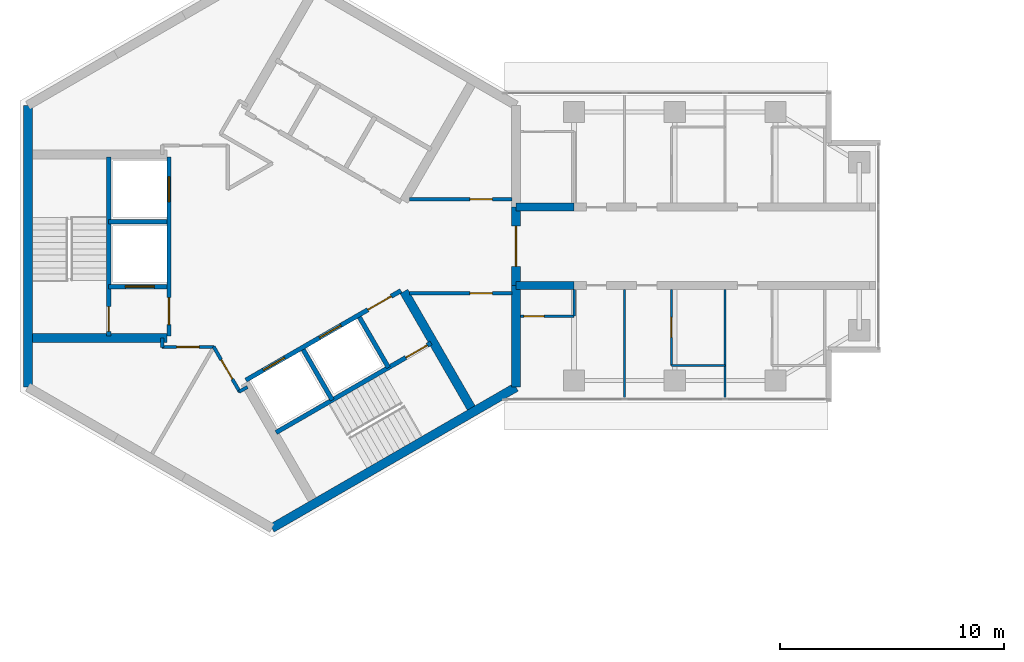
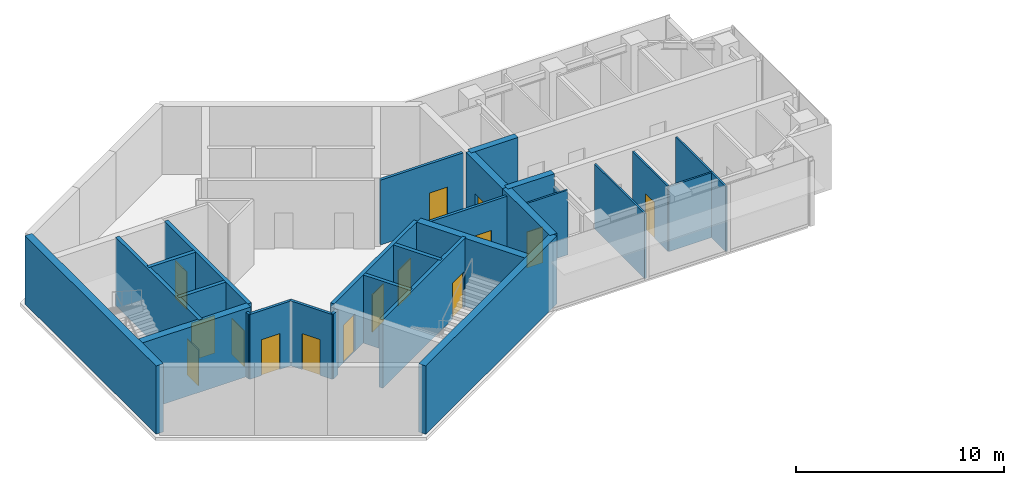
# One storey, part 5 of 11: 28 walls, 15 doors, 15 openings.
"""IFC4 building model written with IfcOpenShell, lengths in metres."""

import ifcopenshell
import ifcopenshell.guid

model = None  # the IFC model being written
_history = None  # IfcOwnerHistory: only IFC2X3 demands one
_inside = {}  # id of a spatial element -> (the spatial element, [elements in it])
_under = {}  # id of a project, library or spatial element -> (it, [spatial elements below it])
_declared = {}  # id of a project -> (the project, [libraries it declares])
_typed = {}  # id of a type object -> (the type object, [elements of that type])
_made_of = {}  # id of a material, layer set ... -> (it, [elements and type objects made of it])


def new_model(schema):
    """Start an empty IFC model of exactly this schema.

    Asked for "IFC4X3", IfcOpenShell would pick the latest addendum, in which some entities
    have other attributes; the version numbers below select the first issue.
    IFC2X3 requires an IfcOwnerHistory on every rooted entity: one is made here for all.
    """
    global model, _history
    if schema == "IFC4X3":
        model = ifcopenshell.file(schema_version=(4, 3, 0, 0))
    else:
        model = ifcopenshell.file(schema=schema)
    _inside.clear()
    _under.clear()
    _declared.clear()
    _typed.clear()
    _made_of.clear()
    _history = None
    if model.schema == "IFC2X3":
        org = make("IfcOrganization", Name="unknown")
        user = make(
            "IfcPersonAndOrganization",
            ThePerson=make("IfcPerson", FamilyName="unknown"),
            TheOrganization=org,
        )
        app = make(
            "IfcApplication",
            ApplicationDeveloper=org,
            Version="unknown",
            ApplicationFullName="unknown",
            ApplicationIdentifier="unknown",
        )
        _history = make(
            "IfcOwnerHistory",
            OwningUser=user,
            OwningApplication=app,
            ChangeAction="ADDED",
            CreationDate=0,
        )
    return model


def make(cls, **values):
    """One entity of the class cls with the attributes given. An attribute that is None is left unset."""
    return model.create_entity(
        cls, **{name: value for name, value in values.items() if value is not None}
    )


def rooted(cls, **values):
    """An entity with a GlobalId (a new one), such as an element, a storey or a relation."""
    return make(cls, GlobalId=ifcopenshell.guid.new(), OwnerHistory=_history, **values)


def si_unit(unit_type, name, prefix=None):
    """IfcSIUnit, for example si_unit("LENGTHUNIT", "METRE", prefix="MILLI")."""
    return make("IfcSIUnit", UnitType=unit_type, Prefix=prefix, Name=name)


def assignment(units):
    """IfcUnitAssignment: the units of a project."""
    return None if units is None else make("IfcUnitAssignment", Units=units)


def point(xyz):
    """IfcCartesianPoint."""
    return None if xyz is None else make("IfcCartesianPoint", Coordinates=xyz)


def direction(xyz):
    """IfcDirection."""
    return None if xyz is None else make("IfcDirection", DirectionRatios=xyz)


def frame(location, z_axis=None, x_axis=None):
    """IfcAxis2Placement3D, a coordinate frame: its origin and axes. An axis left out is left unset."""
    return make(
        "IfcAxis2Placement3D",
        Location=point(location),
        Axis=direction(z_axis),
        RefDirection=direction(x_axis),
    )


def frame_2d(location, x_axis=None):
    """IfcAxis2Placement2D, a coordinate frame in the plane: its origin and x axis."""
    return make(
        "IfcAxis2Placement2D", Location=point(location), RefDirection=direction(x_axis)
    )


def origin():
    """The frame at (0, 0, 0) with its axes left unset."""
    return frame((0.0, 0.0, 0.0))


def place(relative_to, where):
    """IfcLocalPlacement: puts the frame where relative to a parent placement (None: the world)."""
    return make(
        "IfcLocalPlacement", PlacementRelTo=relative_to, RelativePlacement=where
    )


def context(
    kind, dimensions, precision=None, world=None, true_north=None, identifier=None
):
    """IfcGeometricRepresentationContext, for example the 3D "Model" context."""
    return make(
        "IfcGeometricRepresentationContext",
        ContextIdentifier=identifier,
        ContextType=kind,
        CoordinateSpaceDimension=dimensions,
        Precision=precision,
        WorldCoordinateSystem=world,
        TrueNorth=true_north,
    )


def subcontext(parent, identifier, kind, view, scale=None):
    """IfcGeometricRepresentationSubContext, for example "Body" below "Model"."""
    return make(
        "IfcGeometricRepresentationSubContext",
        ContextIdentifier=identifier,
        ContextType=kind,
        ParentContext=parent,
        TargetScale=scale,
        TargetView=view,
    )


def project(units=None, contexts=None):
    """IfcProject with its units and contexts."""
    return rooted(
        "IfcProject",
        Name="project",
        RepresentationContexts=contexts,
        UnitsInContext=assignment(units),
    )


def spatial(cls, under=None, at=None, **own):
    """A site, building, storey or space (cls), placed at a placement, below another one or the project."""
    s = rooted(cls, ObjectPlacement=at, **own)
    if under is not None:
        _under.setdefault(under.id(), (under, []))[1].append(s)
    return s


def profile(cls, at=None, kind="AREA", **sizes):
    """A parametric profile (cls). Its sizes go by their IFC names, for example OverallWidth=200.0."""
    return make(cls, ProfileType=kind, Position=at, **sizes)


def rectangle(**sizes):
    """IfcRectangleProfileDef."""
    return profile("IfcRectangleProfileDef", **sizes)


def extrude(swept, where, along, depth):
    """IfcExtrudedAreaSolid: the profile swept, set in the frame where, extruded along a direction by depth."""
    return make(
        "IfcExtrudedAreaSolid",
        SweptArea=swept,
        Position=where,
        ExtrudedDirection=direction(along),
        Depth=depth,
    )


def shape(context_of_items, identifier, shape_type, items):
    """IfcShapeRepresentation: the items that make up one representation, for example the "Body"."""
    return make(
        "IfcShapeRepresentation",
        ContextOfItems=context_of_items,
        RepresentationIdentifier=identifier,
        RepresentationType=shape_type,
        Items=items,
    )


def material(Name=None, Category=None):
    """IfcMaterial."""
    return make("IfcMaterial", Name=Name, Category=Category)


def layer(
    of_material, thickness, ventilated=None, Name=None, Category=None, Priority=None
):
    """IfcMaterialLayer: one layer of a wall or slab, of a material (None: an air gap)."""
    return make(
        "IfcMaterialLayer",
        Material=of_material,
        LayerThickness=thickness,
        IsVentilated=ventilated,
        Name=Name,
        Category=Category,
        Priority=Priority,
    )


def layer_set(layers, Name=None):
    """IfcMaterialLayerSet."""
    return make("IfcMaterialLayerSet", MaterialLayers=layers, LayerSetName=Name)


def made_of(thing, what):
    """Note that an element or type object is made of a material, layer set ...; save() writes the relation."""
    if what is not None:
        _made_of.setdefault(what.id(), (what, []))[1].append(thing)
    return thing


def type_object(cls, material=None, **own):
    """A type object (cls), such as IfcWallType, which elements share."""
    return made_of(rooted(cls, **own), material)


def element(
    cls,
    number,
    at=None,
    inside=None,
    cuts=None,
    type_object=None,
    material=None,
    context=None,
    identifier="Body",
    shape_type=None,
    held_by="IfcProductDefinitionShape",
    body=None,
    shapes=None,
    **own,
):
    """One element of the class cls, such as IfcWall. Its Tag is "e" and its number.

    at: its placement. inside: the storey or other place that contains it. cuts: it is an
    opening in that element (IfcRelVoidsElement). A single representation is given by context,
    identifier, shape_type and body (its items); several are given by shapes. held_by: the class
    of the entity that holds the representations. save() writes the other relations.
    """
    e = rooted(cls, Tag="e%d" % number, ObjectPlacement=at, **own)
    if body is not None:
        shapes = [shape(context, identifier, shape_type, body)]
    if shapes is not None:
        e.Representation = make(held_by, Representations=shapes)
    if inside is not None:
        _inside.setdefault(inside.id(), (inside, []))[1].append(e)
    if cuts is not None:
        rooted(
            "IfcRelVoidsElement", RelatingBuildingElement=cuts, RelatedOpeningElement=e
        )
    if type_object is not None:
        _typed.setdefault(type_object.id(), (type_object, []))[1].append(e)
    return made_of(e, material)


def fill(opening, filler):
    """IfcRelFillsElement: the door or window that sits in an opening."""
    return rooted(
        "IfcRelFillsElement",
        RelatingOpeningElement=opening,
        RelatedBuildingElement=filler,
    )


def aggregate(whole, parts):
    """IfcRelAggregates: a whole, such as a stair, and the parts it consists of."""
    return rooted("IfcRelAggregates", RelatingObject=whole, RelatedObjects=parts)


def save(model, path):
    """Write the relations noted so far, then the file.

    IfcRelAggregates (storeys below a building ...), IfcRelContainedInSpatialStructure (elements
    in a storey), IfcRelDefinesByType, IfcRelAssociatesMaterial and IfcRelDeclares: one each for
    every whole, place, type object, material and project.
    """
    for whole, parts in _under.values():
        aggregate(whole, parts)
    for where, things in _inside.values():
        rooted(
            "IfcRelContainedInSpatialStructure",
            RelatedElements=things,
            RelatingStructure=where,
        )
    for kind, things in _typed.values():
        rooted("IfcRelDefinesByType", RelatedObjects=things, RelatingType=kind)
    for what, things in _made_of.values():
        rooted("IfcRelAssociatesMaterial", RelatedObjects=things, RelatingMaterial=what)
    for by, libraries in _declared.values():
        rooted("IfcRelDeclares", RelatingContext=by, RelatedDefinitions=libraries)
    model.write(path)


model = new_model("IFC4")

# Units and contexts
model_context = context("Model", 3, precision=1e-05, world=origin(), true_north=direction((0.0, 1.0)))
body_context = subcontext(model_context, "Body", "Model", "MODEL_VIEW")
ifc_project = project(units=[si_unit("LENGTHUNIT", "METRE"), si_unit("AREAUNIT", "SQUARE_METRE"), si_unit("VOLUMEUNIT", "CUBIC_METRE"), si_unit("PLANEANGLEUNIT", "RADIAN"), si_unit("MASSUNIT", "GRAM", prefix="KILO")], contexts=[model_context])

# Site, building, storey
site_placement = place(None, origin())
site = spatial("IfcSite", under=ifc_project, at=site_placement, CompositionType="ELEMENT")
building_placement = place(site_placement, origin())
building = spatial("IfcBuilding", under=site, at=building_placement, Name="Upepo Twin Towers", CompositionType="ELEMENT")
storey_placement = place(building_placement, frame((0.0, 0.0, 283.5)))
storey = spatial("IfcBuildingStorey", under=building, at=storey_placement, Name="L69", CompositionType="ELEMENT", Elevation=283.5)

# Walls
ifc_material_1 = material(Name="Concrete C60/75", Category="concrete")
ifc_layer_1 = layer(ifc_material_1, 0.35009765625)
ifc_layer_set_1 = layer_set([ifc_layer_1], Name="Concrete C60/75")
wall_type_1 = type_object("IfcWallType", Name="Buttress wall 350 RC", PredefinedType="SHEAR", material=ifc_layer_set_1)
for number, where, z_axis, x_axis, name in (
    (1, (10.908447265625, 1.75, 0.0), (0.0, 0.0, 1.0), (1.0, 0.0, 0.0), "T1 wing A buttress wall L"),
    (2, (10.908447265625, -1.75, 0.0), (0.0, 0.0, 1.0), (1.0, 0.0, 0.0), "T1 wing A buttress wall R"),
):
    element("IfcWall", number, at=place(storey_placement, frame(where, z_axis=z_axis, x_axis=x_axis)), inside=storey, type_object=wall_type_1, Name=name, PredefinedType="SHEAR", context=body_context, shape_type="SweptSolid", body=[
        extrude(rectangle(XDim=2.591552734375, YDim=0.35009765625, at=frame_2d((1.2958984375, 0.0))), origin(), (0.0, 0.0, 1.0), 4.0),
    ])
ifc_material_2 = material(Name="Concrete C60/75", Category="concrete")
ifc_layer_2 = layer(ifc_material_2, 0.39990234375)
ifc_layer_set_2 = layer_set([ifc_layer_2], Name="Concrete C60/75")
wall_type_2 = type_object("IfcWallType", Name="Core wall 400 RC", PredefinedType="SHEAR", material=ifc_layer_set_2)
wall_1_placement = place(storey_placement, frame((10.908447265625, -6.2978515625, 0.0), z_axis=(0.0, 0.0, 1.0), x_axis=(0.0, 1.0, 0.0)))
element("IfcWall", 3, at=wall_1_placement, inside=storey, type_object=wall_type_2, Name="T1 core wall 000 R", PredefinedType="SHEAR", context=body_context, shape_type="SweptSolid", body=[
    extrude(rectangle(XDim=4.5478515625, YDim=0.39990234375, at=frame_2d((2.27392578125, 0.0))), origin(), (0.0, 0.0, 1.0), 4.0),
])

# Wall, opening, door
wall_2_placement = place(storey_placement, frame((10.908447265625, -1.75, 0.0), z_axis=(0.0, 0.0, 1.0), x_axis=(0.0, 1.0, 0.0)))
wall_2 = element("IfcWall", 4, at=wall_2_placement, inside=storey, type_object=wall_type_2, Name="T1 core wall 000", PredefinedType="SHEAR", context=body_context, shape_type="SweptSolid", body=[
    extrude(rectangle(XDim=3.5, YDim=0.39990234375, at=frame_2d((1.75, 0.0))), origin(), (0.0, 0.0, 1.0), 4.0),
])
opening_1_placement = place(wall_2_placement, frame((0.85009765625, 0.0, 0.0)))
opening_1 = element("IfcOpeningElement", 5, at=opening_1_placement, cuts=wall_2, Name="Opening D2", PredefinedType="OPENING", context=body_context, shape_type="SweptSolid", body=[
    extrude(rectangle(XDim=1.800048828125, YDim=2.10009765625, at=frame_2d((0.89990234375, 1.050048828125))), frame((0.0, 0.2099609375, 0.0), z_axis=(0.0, -1.0, 0.0), x_axis=(1.0, 0.0, 0.0)), (0.0, 0.0, 1.0), 0.419921875),
])
ifc_material_3 = material(Name="Timber doorset", Category="wood")
door_type_1 = type_object("IfcDoorType", Name="Corridor double door 1800 FD60", OperationType="DOUBLE_DOOR_DOUBLE_SWING", PredefinedType="DOOR", material=ifc_material_3)
door_1_placement = place(opening_1_placement, origin())
door_1 = element("IfcDoor", 6, at=door_1_placement, inside=storey, type_object=door_type_1, Name="T1 L69 wing A corridor door", OperationType="DOUBLE_DOOR_DOUBLE_SWING", OverallHeight=2.10009765625, OverallWidth=1.800048828125, PredefinedType="DOOR", context=body_context, shape_type="SweptSolid", body=[
    extrude(rectangle(XDim=1.800048828125, YDim=2.10009765625, at=frame_2d((0.89990234375, 1.050048828125))), frame((0.0, 0.02490234375, 0.0), z_axis=(0.0, -1.0, 0.0), x_axis=(1.0, 0.0, 0.0)), (0.0, 0.0, 1.0), 0.050048828125),
])
fill(opening_1, door_1)

# Walls
wall_3_placement = place(storey_placement, frame((-10.908447265625, 6.2978515625, 0.0), z_axis=(0.0, 0.0, 1.0), x_axis=(0.0, -1.0, 0.0)))
element("IfcWall", 7, at=wall_3_placement, inside=storey, type_object=wall_type_2, Name="T1 core wall 180", PredefinedType="SHEAR", context=body_context, shape_type="SweptSolid", body=[
    extrude(rectangle(XDim=12.595703125, YDim=0.39990234375, at=frame_2d((6.2978515625, 0.0))), origin(), (0.0, 0.0, 1.0), 4.0),
])
wall_4_placement = place(storey_placement, frame((0.0, -12.595947265625, 0.0), z_axis=(0.0, 0.0, 1.0), x_axis=(0.866021940709, 0.500005998175, 0.0)))
element("IfcWall", 8, at=wall_4_placement, inside=storey, type_object=wall_type_2, Name="T1 core wall 300", PredefinedType="SHEAR", context=body_context, shape_type="SweptSolid", body=[
    extrude(rectangle(XDim=12.595947265625, YDim=0.39990234375, at=frame_2d((6.2978515625, 0.0))), origin(), (0.0, 0.0, 1.0), 4.0),
])
ifc_material_4 = material(Name="Gypsum board on steel studs", Category="steel")
ifc_layer_3 = layer(ifc_material_4, 0.10009765625)
ifc_layer_set_3 = layer_set([ifc_layer_3], Name="Office partition 100 stud")
wall_type_3 = type_object("IfcWallType", Name="Office partition 100 stud", PredefinedType="PARTITIONING", material=ifc_layer_set_3)
for number, where, z_axis, x_axis, name in (
    (9, (15.75, -1.925048828125, 0.0), (0.0, 0.0, 1.0), (0.0, -1.0, 0.0), "T1 partition AR at 15.75"),
    (10, (20.25, -1.925048828125, 0.0), (0.0, 0.0, 1.0), (0.0, -1.0, 0.0), "T1 partition AR at 20.25"),
):
    element("IfcWall", number, at=place(storey_placement, frame(where, z_axis=z_axis, x_axis=x_axis)), inside=storey, type_object=wall_type_3, Name=name, PredefinedType="PARTITIONING", context=body_context, shape_type="SweptSolid", body=[
        extrude(rectangle(XDim=4.824951171875, YDim=0.10009765625, at=frame_2d((2.41259765625, 0.0))), origin(), (0.0, 0.0, 1.0), 3.800048828125),
    ])
wall_5_placement = place(storey_placement, frame((17.85009765625, -5.324951171875, 0.0), z_axis=(0.0, 0.0, 1.0), x_axis=(1.0, 0.0, 0.0)))
element("IfcWall", 11, at=wall_5_placement, inside=storey, type_object=wall_type_3, Name="T1 inner room partition AR at 17.85", PredefinedType="PARTITIONING", context=body_context, shape_type="SweptSolid", body=[
    extrude(rectangle(XDim=2.39990234375, YDim=0.10009765625, at=frame_2d((1.199951171875, 0.0))), origin(), (0.0, 0.0, 1.0), 3.800048828125),
])

# Wall, opening, door
wall_6_placement = place(storey_placement, frame((17.85009765625, -1.925048828125, 0.0), z_axis=(0.0, 0.0, 1.0), x_axis=(0.0, -1.0, 0.0)))
wall_6 = element("IfcWall", 12, at=wall_6_placement, inside=storey, type_object=wall_type_3, Name="T1 inner room partition AR end at 17.85", PredefinedType="PARTITIONING", context=body_context, shape_type="SweptSolid", body=[
    extrude(rectangle(XDim=3.39990234375, YDim=0.10009765625, at=frame_2d((1.699951171875, 0.0))), origin(), (0.0, 0.0, 1.0), 3.800048828125),
])
opening_2_placement = place(wall_6_placement, frame((1.25, 0.0, 0.0)))
opening_2 = element("IfcOpeningElement", 13, at=opening_2_placement, cuts=wall_6, Name="Opening D14", PredefinedType="OPENING", context=body_context, shape_type="SweptSolid", body=[
    extrude(rectangle(XDim=0.89990234375, YDim=2.10009765625, at=frame_2d((0.449951171875, 1.050048828125))), frame((0.0, 0.06005859375, 0.0), z_axis=(0.0, -1.0, 0.0), x_axis=(1.0, 0.0, 0.0)), (0.0, 0.0, 1.0), 0.1201171875),
])
ifc_material_5 = material(Name="Timber doorset", Category="wood")
door_type_2 = type_object("IfcDoorType", Name="Office door 900 FD30", OperationType="SINGLE_SWING_LEFT", PredefinedType="DOOR", material=ifc_material_5)
door_2_placement = place(opening_2_placement, origin())
door_2 = element("IfcDoor", 14, at=door_2_placement, inside=storey, type_object=door_type_2, Name="T1 L69 inner room door", OperationType="SINGLE_SWING_LEFT", OverallHeight=2.10009765625, OverallWidth=0.89990234375, PredefinedType="DOOR", context=body_context, shape_type="SweptSolid", body=[
    extrude(rectangle(XDim=0.89990234375, YDim=2.10009765625, at=frame_2d((0.449951171875, 1.050048828125))), frame((0.0, 0.02490234375, 0.0), z_axis=(0.0, -1.0, 0.0), x_axis=(1.0, 0.0, 0.0)), (0.0, 0.0, 1.0), 0.050048828125),
])
fill(opening_2, door_2)

wall_7_placement = place(storey_placement, frame((11.10791015625, -3.125, 0.0), z_axis=(0.0, 0.0, 1.0), x_axis=(1.0, 0.0, 0.0)))
wall_7 = element("IfcWall", 15, at=wall_7_placement, inside=storey, type_object=wall_type_3, Name="T1 WC bay partition AR at 11.11", PredefinedType="PARTITIONING", context=body_context, shape_type="SweptSolid", body=[
    extrude(rectangle(XDim=2.400146484375, YDim=0.10009765625, at=frame_2d((1.2001953125, 0.0))), origin(), (0.0, 0.0, 1.0), 3.800048828125),
])
opening_3_placement = place(wall_7_placement, frame((0.14990234375, 0.0, 0.0)))
opening_3 = element("IfcOpeningElement", 16, at=opening_3_placement, cuts=wall_7, Name="Opening D14", PredefinedType="OPENING", context=body_context, shape_type="SweptSolid", body=[
    extrude(rectangle(XDim=0.89990234375, YDim=2.10009765625, at=frame_2d((0.449951171875, 1.050048828125))), frame((0.0, 0.06005859375, 0.0), z_axis=(0.0, -1.0, 0.0), x_axis=(1.0, 0.0, 0.0)), (0.0, 0.0, 1.0), 0.1201171875),
])
door_3_placement = place(opening_3_placement, origin())
door_3 = element("IfcDoor", 17, at=door_3_placement, inside=storey, type_object=door_type_2, Name="T1 L69 WC bay inner room door", OperationType="SINGLE_SWING_LEFT", OverallHeight=2.10009765625, OverallWidth=0.89990234375, PredefinedType="DOOR", context=body_context, shape_type="SweptSolid", body=[
    extrude(rectangle(XDim=0.89990234375, YDim=2.10009765625, at=frame_2d((0.449951171875, 1.050048828125))), frame((0.0, 0.02490234375, 0.0), z_axis=(0.0, -1.0, 0.0), x_axis=(1.0, 0.0, 0.0)), (0.0, 0.0, 1.0), 0.050048828125),
])
fill(opening_3, door_3)

# Wall
wall_8_placement = place(storey_placement, frame((13.508056640625, -1.925048828125, 0.0), z_axis=(0.0, 0.0, 1.0), x_axis=(0.0, -1.0, 0.0)))
element("IfcWall", 18, at=wall_8_placement, inside=storey, type_object=wall_type_3, Name="T1 WC bay partition AR end at 13.51", PredefinedType="PARTITIONING", context=body_context, shape_type="SweptSolid", body=[
    extrude(rectangle(XDim=1.199951171875, YDim=0.10009765625, at=frame_2d((0.60009765625, 0.0))), origin(), (0.0, 0.0, 1.0), 3.266845703125),
])

# Wall, openings, doors
ifc_material_6 = material(Name="Concrete C40/50", Category="concrete")
ifc_layer_4 = layer(ifc_material_6, 0.199951171875)
ifc_layer_set_4 = layer_set([ifc_layer_4], Name="Concrete C40/50")
wall_type_4 = type_object("IfcWallType", Name="Shaft wall 200 RC", PredefinedType="SHEAR", material=ifc_layer_set_4)
wall_9_placement = place(storey_placement, frame((-4.60009765625, 4.0, 0.0), z_axis=(0.0, 0.0, 1.0), x_axis=(0.0, -1.0, 0.0)))
wall_9 = element("IfcWall", 19, at=wall_9_placement, inside=storey, type_object=wall_type_4, Name="T1 core W180 front wall", PredefinedType="SHEAR", context=body_context, shape_type="SweptSolid", body=[
    extrude(rectangle(XDim=8.0, YDim=0.199951171875, at=frame_2d((4.0, 0.0))), origin(), (0.0, 0.0, 1.0), 4.0),
])
opening_4_placement = place(wall_9_placement, frame((6.300048828125, 0.0, 0.0)))
opening_4 = element("IfcOpeningElement", 20, at=opening_4_placement, cuts=wall_9, Name="Opening D4", PredefinedType="OPENING", context=body_context, shape_type="SweptSolid", body=[
    extrude(rectangle(XDim=1.199951171875, YDim=2.10009765625, at=frame_2d((0.60009765625, 1.050048828125))), frame((0.0, 0.10986328125, 0.0), z_axis=(0.0, -1.0, 0.0), x_axis=(1.0, 0.0, 0.0)), (0.0, 0.0, 1.0), 0.219970703125),
])
opening_5_placement = place(wall_9_placement, frame((0.89990234375, 0.0, 0.0)))
opening_5 = element("IfcOpeningElement", 21, at=opening_5_placement, cuts=wall_9, Name="Opening LD1", PredefinedType="OPENING", context=body_context, shape_type="SweptSolid", body=[
    extrude(rectangle(XDim=1.10009765625, YDim=2.199951171875, at=frame_2d((0.550048828125, 1.10009765625))), frame((0.0, 0.10986328125, 0.0), z_axis=(0.0, -1.0, 0.0), x_axis=(1.0, 0.0, 0.0)), (0.0, 0.0, 1.0), 0.219970703125),
])
ifc_material_7 = material(Name="Steel doorset", Category="steel")
door_type_3 = type_object("IfcDoorType", Name="Lift landing door 1100", OperationType="DOUBLE_DOOR_SLIDING", PredefinedType="DOOR", material=ifc_material_7)
door_4_placement = place(opening_5_placement, origin())
door_4 = element("IfcDoor", 22, at=door_4_placement, inside=storey, type_object=door_type_3, Name="T1 L69 lift SV1 landing door", OperationType="DOUBLE_DOOR_SLIDING", OverallHeight=2.199951171875, OverallWidth=1.10009765625, PredefinedType="DOOR", context=body_context, shape_type="SweptSolid", body=[
    extrude(rectangle(XDim=1.10009765625, YDim=2.199951171875, at=frame_2d((0.550048828125, 1.10009765625))), frame((0.0, 0.02490234375, 0.0), z_axis=(0.0, -1.0, 0.0), x_axis=(1.0, 0.0, 0.0)), (0.0, 0.0, 1.0), 0.050048828125),
])
fill(opening_5, door_4)
ifc_material_8 = material(Name="Timber doorset", Category="wood")
door_type_4 = type_object("IfcDoorType", Name="Lobby door 1200 FD60", OperationType="SINGLE_SWING_LEFT", PredefinedType="DOOR", material=ifc_material_8)
door_5_placement = place(opening_4_placement, origin())
door_5 = element("IfcDoor", 23, at=door_5_placement, inside=storey, type_object=door_type_4, Name="T1 L69 W180 lobby door", OperationType="SINGLE_SWING_RIGHT", OverallHeight=2.10009765625, OverallWidth=1.199951171875, PredefinedType="DOOR", context=body_context, shape_type="SweptSolid", body=[
    extrude(rectangle(XDim=1.199951171875, YDim=2.10009765625, at=frame_2d((0.60009765625, 1.050048828125))), frame((0.0, 0.02490234375, 0.0), z_axis=(0.0, -1.0, 0.0), x_axis=(1.0, 0.0, 0.0)), (0.0, 0.0, 1.0), 0.050048828125),
])
fill(opening_4, door_5)

# Wall
wall_10_placement = place(storey_placement, frame((-4.699951171875, 1.10009765625, 0.0), z_axis=(0.0, 0.0, 1.0), x_axis=(-1.0, 0.0, 0.0)))
element("IfcWall", 24, at=wall_10_placement, inside=storey, type_object=wall_type_4, Name="T1 core W180 shaft divider", PredefinedType="SHEAR", context=body_context, shape_type="SweptSolid", body=[
    extrude(rectangle(XDim=2.60009765625, YDim=0.199951171875, at=frame_2d((1.300048828125, 0.0))), origin(), (0.0, 0.0, 1.0), 4.0),
])

# Wall, opening, door
wall_11_placement = place(storey_placement, frame((-4.699951171875, -1.800048828125, 0.0), z_axis=(0.0, 0.0, 1.0), x_axis=(-1.0, 0.0, 0.0)))
wall_11 = element("IfcWall", 25, at=wall_11_placement, inside=storey, type_object=wall_type_4, Name="T1 core W180 lobby wall", PredefinedType="SHEAR", context=body_context, shape_type="SweptSolid", body=[
    extrude(rectangle(XDim=2.60009765625, YDim=0.199951171875, at=frame_2d((1.300048828125, 0.0))), origin(), (0.0, 0.0, 1.0), 4.0),
])
opening_6_placement = place(wall_11_placement, frame((0.550048828125, 0.0, 0.0)))
opening_6 = element("IfcOpeningElement", 26, at=opening_6_placement, cuts=wall_11, Name="Opening LD2", PredefinedType="OPENING", context=body_context, shape_type="SweptSolid", body=[
    extrude(rectangle(XDim=1.300048828125, YDim=2.199951171875, at=frame_2d((0.64990234375, 1.10009765625))), frame((0.0, 0.10986328125, 0.0), z_axis=(0.0, -1.0, 0.0), x_axis=(1.0, 0.0, 0.0)), (0.0, 0.0, 1.0), 0.219970703125),
])
ifc_material_9 = material(Name="Steel doorset", Category="steel")
door_type_5 = type_object("IfcDoorType", Name="Firefighting lift landing door 1300", OperationType="DOUBLE_DOOR_SLIDING", PredefinedType="DOOR", material=ifc_material_9)
door_6_placement = place(opening_6_placement, origin())
door_6 = element("IfcDoor", 27, at=door_6_placement, inside=storey, type_object=door_type_5, Name="T1 L69 firefighting lift landing door", OperationType="DOUBLE_DOOR_SLIDING", OverallHeight=2.199951171875, OverallWidth=1.300048828125, PredefinedType="DOOR", context=body_context, shape_type="SweptSolid", body=[
    extrude(rectangle(XDim=1.300048828125, YDim=2.199951171875, at=frame_2d((0.64990234375, 1.10009765625))), frame((0.0, 0.02490234375, 0.0), z_axis=(0.0, -1.0, 0.0), x_axis=(1.0, 0.0, 0.0)), (0.0, 0.0, 1.0), 0.050048828125),
])
fill(opening_6, door_6)

wall_12_placement = place(storey_placement, frame((-7.300048828125, 4.0, 0.0), z_axis=(0.0, 0.0, 1.0), x_axis=(0.0, -1.0, 0.0)))
wall_12 = element("IfcWall", 28, at=wall_12_placement, inside=storey, type_object=wall_type_4, Name="T1 core W180 stair wall", PredefinedType="SHEAR", context=body_context, shape_type="SweptSolid", body=[
    extrude(rectangle(XDim=8.0, YDim=0.199951171875, at=frame_2d((4.0, 0.0))), origin(), (0.0, 0.0, 1.0), 4.0),
])
opening_7_placement = place(wall_12_placement, frame((6.699951171875, 0.0, 0.0)))
opening_7 = element("IfcOpeningElement", 29, at=opening_7_placement, cuts=wall_12, Name="Opening D3", PredefinedType="OPENING", context=body_context, shape_type="SweptSolid", body=[
    extrude(rectangle(XDim=1.10009765625, YDim=2.10009765625, at=frame_2d((0.550048828125, 1.050048828125))), frame((0.0, 0.10986328125, 0.0), z_axis=(0.0, -1.0, 0.0), x_axis=(1.0, 0.0, 0.0)), (0.0, 0.0, 1.0), 0.219970703125),
])
ifc_material_10 = material(Name="Timber doorset", Category="wood")
door_type_6 = type_object("IfcDoorType", Name="Stair door 1100 FD60", OperationType="SINGLE_SWING_LEFT", PredefinedType="DOOR", material=ifc_material_10)
door_7_placement = place(opening_7_placement, origin())
door_7 = element("IfcDoor", 30, at=door_7_placement, inside=storey, type_object=door_type_6, Name="T1 L69 stair door", OperationType="SINGLE_SWING_RIGHT", OverallHeight=2.10009765625, OverallWidth=1.10009765625, PredefinedType="DOOR", context=body_context, shape_type="SweptSolid", body=[
    extrude(rectangle(XDim=1.10009765625, YDim=2.10009765625, at=frame_2d((0.550048828125, 1.050048828125))), frame((0.0, 0.02490234375, 0.0), z_axis=(0.0, -1.0, 0.0), x_axis=(1.0, 0.0, 0.0)), (0.0, 0.0, 1.0), 0.050048828125),
])
fill(opening_7, door_7)

# Wall, openings, doors
wall_13_placement = place(storey_placement, frame((-1.1640625, -5.983642578125, 0.0), z_axis=(0.0, 0.0, 1.0), x_axis=(0.866026010844, 0.49999894854, 0.0)))
wall_13 = element("IfcWall", 31, at=wall_13_placement, inside=storey, type_object=wall_type_4, Name="T1 core W300 front wall", PredefinedType="SHEAR", context=body_context, shape_type="SweptSolid", body=[
    extrude(rectangle(XDim=8.0, YDim=0.199951171875, at=frame_2d((4.0, 0.0))), origin(), (0.0, 0.0, 1.0), 4.0),
])
opening_8_placement = place(wall_13_placement, frame((6.300048828125, 0.0, 0.0)))
opening_8 = element("IfcOpeningElement", 32, at=opening_8_placement, cuts=wall_13, Name="Opening D4", PredefinedType="OPENING", context=body_context, shape_type="SweptSolid", body=[
    extrude(rectangle(XDim=1.199951171875, YDim=2.10009765625, at=frame_2d((0.60009765625, 1.050048828125))), frame((0.0, 0.10986328125, 0.0), z_axis=(0.0, -1.0, 0.0), x_axis=(1.0, 0.0, 0.0)), (0.0, 0.0, 1.0), 0.219970703125),
])
opening_9_placement = place(wall_13_placement, frame((0.89990234375, 0.0, 0.0)))
opening_9 = element("IfcOpeningElement", 33, at=opening_9_placement, cuts=wall_13, Name="Opening LD1", PredefinedType="OPENING", context=body_context, shape_type="SweptSolid", body=[
    extrude(rectangle(XDim=1.10009765625, YDim=2.199951171875, at=frame_2d((0.550048828125, 1.10009765625))), frame((0.0, 0.10986328125, 0.0), z_axis=(0.0, -1.0, 0.0), x_axis=(1.0, 0.0, 0.0)), (0.0, 0.0, 1.0), 0.219970703125),
])
opening_10_placement = place(wall_13_placement, frame((3.800048828125, 0.0, 0.0)))
opening_10 = element("IfcOpeningElement", 34, at=opening_10_placement, cuts=wall_13, Name="Opening LD1", PredefinedType="OPENING", context=body_context, shape_type="SweptSolid", body=[
    extrude(rectangle(XDim=1.10009765625, YDim=2.199951171875, at=frame_2d((0.550048828125, 1.10009765625))), frame((0.0, 0.10986328125, 0.0), z_axis=(0.0, -1.0, 0.0), x_axis=(1.0, 0.0, 0.0)), (0.0, 0.0, 1.0), 0.219970703125),
])
door_8_placement = place(opening_9_placement, origin())
door_8 = element("IfcDoor", 35, at=door_8_placement, inside=storey, type_object=door_type_3, Name="T1 L69 lift TL1 landing door", OperationType="DOUBLE_DOOR_SLIDING", OverallHeight=2.199951171875, OverallWidth=1.10009765625, PredefinedType="DOOR", context=body_context, shape_type="SweptSolid", body=[
    extrude(rectangle(XDim=1.10009765625, YDim=2.199951171875, at=frame_2d((0.550048828125, 1.10009765625))), frame((0.0, 0.02490234375, 0.0), z_axis=(0.0, -1.0, 0.0), x_axis=(1.0, 0.0, 0.0)), (0.0, 0.0, 1.0), 0.050048828125),
])
fill(opening_9, door_8)
door_9_placement = place(opening_10_placement, origin())
door_9 = element("IfcDoor", 36, at=door_9_placement, inside=storey, type_object=door_type_3, Name="T1 L69 lift TL2 landing door", OperationType="DOUBLE_DOOR_SLIDING", OverallHeight=2.199951171875, OverallWidth=1.10009765625, PredefinedType="DOOR", context=body_context, shape_type="SweptSolid", body=[
    extrude(rectangle(XDim=1.10009765625, YDim=2.199951171875, at=frame_2d((0.550048828125, 1.10009765625))), frame((0.0, 0.02490234375, 0.0), z_axis=(0.0, -1.0, 0.0), x_axis=(1.0, 0.0, 0.0)), (0.0, 0.0, 1.0), 0.050048828125),
])
fill(opening_10, door_9)
door_10_placement = place(opening_8_placement, origin())
door_10 = element("IfcDoor", 37, at=door_10_placement, inside=storey, type_object=door_type_4, Name="T1 L69 W300 lobby door", OperationType="SINGLE_SWING_RIGHT", OverallHeight=2.10009765625, OverallWidth=1.199951171875, PredefinedType="DOOR", context=body_context, shape_type="SweptSolid", body=[
    extrude(rectangle(XDim=1.199951171875, YDim=2.10009765625, at=frame_2d((0.60009765625, 1.050048828125))), frame((0.0, 0.02490234375, 0.0), z_axis=(0.0, -1.0, 0.0), x_axis=(1.0, 0.0, 0.0)), (0.0, 0.0, 1.0), 0.050048828125),
])
fill(opening_8, door_10)

# Walls
wall_14_placement = place(storey_placement, frame((1.3974609375, -4.620361328125, 0.0), z_axis=(0.0, 0.0, 1.0), x_axis=(0.499936506574, -0.866062058628, 0.0)))
element("IfcWall", 38, at=wall_14_placement, inside=storey, type_object=wall_type_4, Name="T1 core W300 shaft divider", PredefinedType="SHEAR", context=body_context, shape_type="SweptSolid", body=[
    extrude(rectangle(XDim=2.599853515625, YDim=0.199951171875, at=frame_2d((1.2998046875, 0.0))), origin(), (0.0, 0.0, 1.0), 4.0),
])
wall_15_placement = place(storey_placement, frame((3.908935546875, -3.17041015625, 0.0), z_axis=(0.0, 0.0, 1.0), x_axis=(0.49997716683, -0.86603858612, 0.0)))
element("IfcWall", 39, at=wall_15_placement, inside=storey, type_object=wall_type_4, Name="T1 core W300 lobby wall", PredefinedType="SHEAR", context=body_context, shape_type="SweptSolid", body=[
    extrude(rectangle(XDim=2.599609375, YDim=0.199951171875, at=frame_2d((1.2998046875, 0.0))), origin(), (0.0, 0.0, 1.0), 4.0),
])

# Wall, opening, door
wall_16_placement = place(storey_placement, frame((0.185791015625, -8.322021484375, 0.0), z_axis=(0.0, 0.0, 1.0), x_axis=(0.866026010844, 0.49999894854, 0.0)))
wall_16 = element("IfcWall", 40, at=wall_16_placement, inside=storey, type_object=wall_type_4, Name="T1 core W300 stair wall", PredefinedType="SHEAR", context=body_context, shape_type="SweptSolid", body=[
    extrude(rectangle(XDim=8.0, YDim=0.199951171875, at=frame_2d((4.0, 0.0))), origin(), (0.0, 0.0, 1.0), 4.0),
])
opening_11_placement = place(wall_16_placement, frame((6.699951171875, 0.0, 0.0)))
opening_11 = element("IfcOpeningElement", 41, at=opening_11_placement, cuts=wall_16, Name="Opening D3", PredefinedType="OPENING", context=body_context, shape_type="SweptSolid", body=[
    extrude(rectangle(XDim=1.10009765625, YDim=2.10009765625, at=frame_2d((0.550048828125, 1.050048828125))), frame((0.0, 0.10986328125, 0.0), z_axis=(0.0, -1.0, 0.0), x_axis=(1.0, 0.0, 0.0)), (0.0, 0.0, 1.0), 0.219970703125),
])
door_11_placement = place(opening_11_placement, origin())
door_11 = element("IfcDoor", 42, at=door_11_placement, inside=storey, type_object=door_type_6, Name="T1 L69 stair door", OperationType="SINGLE_SWING_RIGHT", OverallHeight=2.10009765625, OverallWidth=1.10009765625, PredefinedType="DOOR", context=body_context, shape_type="SweptSolid", body=[
    extrude(rectangle(XDim=1.10009765625, YDim=2.10009765625, at=frame_2d((0.550048828125, 1.050048828125))), frame((0.0, 0.02490234375, 0.0), z_axis=(0.0, -1.0, 0.0), x_axis=(1.0, 0.0, 0.0)), (0.0, 0.0, 1.0), 0.050048828125),
])
fill(opening_11, door_11)

# Walls
ifc_material_11 = material(Name="Concrete C40/50", Category="concrete")
ifc_layer_5 = layer(ifc_material_11, 0.39990234375)
ifc_layer_set_5 = layer_set([ifc_layer_5], Name="Concrete C40/50")
wall_type_5 = type_object("IfcWallType", Name="Shaft wall 400 RC", PredefinedType="SHEAR", material=ifc_layer_set_5)
for number, where, z_axis, x_axis, name in (
    (43, (-4.699951171875, -4.10009765625, 0.0), (0.0, 0.0, 1.0), (-1.0, 0.0, 0.0), "T1 core W180 side wall N"),
    (44, (5.900634765625, -2.020263671875, 0.0), (0.0, 0.0, 1.0), (0.499997979876, -0.866026570101, 0.0), "T1 core W300 side wall N"),
):
    element("IfcWall", number, at=place(storey_placement, frame(where, z_axis=z_axis, x_axis=x_axis)), inside=storey, type_object=wall_type_5, Name=name, PredefinedType="SHEAR", context=body_context, shape_type="SweptSolid", body=[
        extrude(rectangle(XDim=6.00830078125, YDim=0.39990234375, at=frame_2d((3.004150390625, 0.0))), origin(), (0.0, 0.0, 1.0), 4.0),
    ])

# Wall, opening, door
ifc_material_12 = material(Name="Gypsum board on steel studs", Category="steel")
ifc_layer_6 = layer(ifc_material_12, 0.14990234375)
ifc_layer_set_6 = layer_set([ifc_layer_6], Name="Teaching partition 150 acoustic")
wall_type_6 = type_object("IfcWallType", Name="Teaching partition 150 acoustic", PredefinedType="PARTITIONING", material=ifc_layer_set_6)
wall_17_placement = place(storey_placement, frame((-1.43701171875, -6.5107421875, 0.0), z_axis=(0.0, 0.0, 1.0), x_axis=(-0.500074377092, 0.865982457891, 0.0)))
wall_17 = element("IfcWall", 45, at=wall_17_placement, inside=storey, type_object=wall_type_6, Name="T1 core room partition 1", PredefinedType="PARTITIONING", context=body_context, shape_type="SweptSolid", body=[
    extrude(rectangle(XDim=2.342041015625, YDim=0.14990234375, at=frame_2d((1.1708984375, 0.0))), origin(), (0.0, 0.0, 1.0), 3.800048828125),
])
opening_12_placement = place(wall_17_placement, frame((0.660888671875, 0.0, 0.0)))
opening_12 = element("IfcOpeningElement", 46, at=opening_12_placement, cuts=wall_17, Name="Opening D1", PredefinedType="OPENING", context=body_context, shape_type="SweptSolid", body=[
    extrude(rectangle(XDim=1.0, YDim=2.10009765625, at=frame_2d((0.5, 1.050048828125))), frame((0.0, 0.0849609375, 0.0), z_axis=(0.0, -1.0, 0.0), x_axis=(1.0, 0.0, 0.0)), (0.0, 0.0, 1.0), 0.169921875),
])
ifc_material_13 = material(Name="Timber doorset", Category="wood")
door_type_7 = type_object("IfcDoorType", Name="Room door 1000 FD30", OperationType="SINGLE_SWING_LEFT", PredefinedType="DOOR", material=ifc_material_13)
door_12_placement = place(opening_12_placement, origin())
door_12 = element("IfcDoor", 47, at=door_12_placement, inside=storey, type_object=door_type_7, Name="T1 L69 core room door K2", OperationType="SINGLE_SWING_LEFT", OverallHeight=2.10009765625, OverallWidth=1.0, PredefinedType="DOOR", context=body_context, shape_type="SweptSolid", body=[
    extrude(rectangle(XDim=1.0, YDim=2.10009765625, at=frame_2d((0.5, 1.050048828125))), frame((0.0, 0.02490234375, 0.0), z_axis=(0.0, -1.0, 0.0), x_axis=(1.0, 0.0, 0.0)), (0.0, 0.0, 1.0), 0.050048828125),
])
fill(opening_12, door_12)

wall_18_placement = place(storey_placement, frame((-2.578125, -4.5, 0.0), z_axis=(0.0, 0.0, 1.0), x_axis=(-1.0, 0.0, 0.0)))
wall_18 = element("IfcWall", 48, at=wall_18_placement, inside=storey, type_object=wall_type_6, Name="T1 core room partition 2", PredefinedType="PARTITIONING", context=body_context, shape_type="SweptSolid", body=[
    extrude(rectangle(XDim=2.341796875, YDim=0.14990234375, at=frame_2d((1.1708984375, 0.0))), origin(), (0.0, 0.0, 1.0), 3.800048828125),
])
opening_13_placement = place(wall_18_placement, frame((0.68115234375, 0.0, 0.0)))
opening_13 = element("IfcOpeningElement", 49, at=opening_13_placement, cuts=wall_18, Name="Opening D1", PredefinedType="OPENING", context=body_context, shape_type="SweptSolid", body=[
    extrude(rectangle(XDim=1.0, YDim=2.10009765625, at=frame_2d((0.5, 1.050048828125))), frame((0.0, 0.0849609375, 0.0), z_axis=(0.0, -1.0, 0.0), x_axis=(1.0, 0.0, 0.0)), (0.0, 0.0, 1.0), 0.169921875),
])
door_13_placement = place(opening_13_placement, origin())
door_13 = element("IfcDoor", 50, at=door_13_placement, inside=storey, type_object=door_type_7, Name="T1 L69 core room door K1", OperationType="SINGLE_SWING_RIGHT", OverallHeight=2.10009765625, OverallWidth=1.0, PredefinedType="DOOR", context=body_context, shape_type="SweptSolid", body=[
    extrude(rectangle(XDim=1.0, YDim=2.10009765625, at=frame_2d((0.5, 1.050048828125))), frame((0.0, 0.02490234375, 0.0), z_axis=(0.0, -1.0, 0.0), x_axis=(1.0, 0.0, 0.0)), (0.0, 0.0, 1.0), 0.050048828125),
])
fill(opening_13, door_13)

# Wall
wall_19_placement = place(storey_placement, frame((-4.89990234375, -4.52001953125, 0.0), z_axis=(0.0, 0.0, 1.0), x_axis=(0.0, 1.0, 0.0)))
element("IfcWall", 51, at=wall_19_placement, inside=storey, type_object=wall_type_6, Name="T1 core room partition 3", PredefinedType="PARTITIONING", context=body_context, shape_type="SweptSolid", body=[
    extrude(rectangle(XDim=0.429931640625, YDim=0.14990234375, at=frame_2d((0.21484375, 0.0))), origin(), (0.0, 0.0, 1.0), 3.800048828125),
])

# Wall, opening, door
wall_20_placement = place(storey_placement, frame((6.142578125, 2.10009765625, 0.0), z_axis=(0.0, 0.0, 1.0), x_axis=(1.0, 0.0, 0.0)))
wall_20 = element("IfcWall", 52, at=wall_20_placement, inside=storey, type_object=wall_type_6, Name="T1 core room partition 11", PredefinedType="PARTITIONING", context=body_context, shape_type="SweptSolid", body=[
    extrude(rectangle(XDim=4.57568359375, YDim=0.14990234375, at=frame_2d((2.287841796875, 0.0))), origin(), (0.0, 0.0, 1.0), 3.800048828125),
])
opening_14_placement = place(wall_20_placement, frame((2.702880859375, 0.0, 0.0)))
opening_14 = element("IfcOpeningElement", 53, at=opening_14_placement, cuts=wall_20, Name="Opening D1", PredefinedType="OPENING", context=body_context, shape_type="SweptSolid", body=[
    extrude(rectangle(XDim=1.0, YDim=2.10009765625, at=frame_2d((0.5, 1.050048828125))), frame((0.0, 0.0849609375, 0.0), z_axis=(0.0, -1.0, 0.0), x_axis=(1.0, 0.0, 0.0)), (0.0, 0.0, 1.0), 0.169921875),
])
door_14_placement = place(opening_14_placement, origin())
door_14 = element("IfcDoor", 54, at=door_14_placement, inside=storey, type_object=door_type_7, Name="T1 L69 core room door K4", OperationType="SINGLE_SWING_RIGHT", OverallHeight=2.10009765625, OverallWidth=1.0, PredefinedType="DOOR", context=body_context, shape_type="SweptSolid", body=[
    extrude(rectangle(XDim=1.0, YDim=2.10009765625, at=frame_2d((0.5, 1.050048828125))), frame((0.0, 0.02490234375, 0.0), z_axis=(0.0, -1.0, 0.0), x_axis=(1.0, 0.0, 0.0)), (0.0, 0.0, 1.0), 0.050048828125),
])
fill(opening_14, door_14)

wall_21_placement = place(storey_placement, frame((10.71826171875, -2.10009765625, 0.0), z_axis=(0.0, 0.0, 1.0), x_axis=(-1.0, 0.0, 0.0)))
wall_21 = element("IfcWall", 55, at=wall_21_placement, inside=storey, type_object=wall_type_6, Name="T1 core room partition 12", PredefinedType="PARTITIONING", context=body_context, shape_type="SweptSolid", body=[
    extrude(rectangle(XDim=4.57568359375, YDim=0.14990234375, at=frame_2d((2.287841796875, 0.0))), origin(), (0.0, 0.0, 1.0), 3.800048828125),
])
opening_15_placement = place(wall_21_placement, frame((0.87255859375, 0.0, 0.0)))
opening_15 = element("IfcOpeningElement", 56, at=opening_15_placement, cuts=wall_21, Name="Opening D1", PredefinedType="OPENING", context=body_context, shape_type="SweptSolid", body=[
    extrude(rectangle(XDim=1.0, YDim=2.10009765625, at=frame_2d((0.5, 1.050048828125))), frame((0.0, 0.0849609375, 0.0), z_axis=(0.0, -1.0, 0.0), x_axis=(1.0, 0.0, 0.0)), (0.0, 0.0, 1.0), 0.169921875),
])
door_15_placement = place(opening_15_placement, origin())
door_15 = element("IfcDoor", 57, at=door_15_placement, inside=storey, type_object=door_type_7, Name="T1 L69 core room door K3", OperationType="SINGLE_SWING_LEFT", OverallHeight=2.10009765625, OverallWidth=1.0, PredefinedType="DOOR", context=body_context, shape_type="SweptSolid", body=[
    extrude(rectangle(XDim=1.0, YDim=2.10009765625, at=frame_2d((0.5, 1.050048828125))), frame((0.0, 0.02490234375, 0.0), z_axis=(0.0, -1.0, 0.0), x_axis=(1.0, 0.0, 0.0)), (0.0, 0.0, 1.0), 0.050048828125),
])
fill(opening_15, door_15)

# Wall
wall_22_placement = place(storey_placement, frame((-1.092041015625, -6.28857421875, 0.0), z_axis=(0.0, 0.0, 1.0), x_axis=(-0.866138304741, -0.499804398801, 0.0)))
element("IfcWall", 58, at=wall_22_placement, inside=storey, type_object=wall_type_6, Name="T1 core room partition 13", PredefinedType="PARTITIONING", context=body_context, shape_type="SweptSolid", body=[
    extrude(rectangle(XDim=0.429931640625, YDim=0.14990234375, at=frame_2d((0.21484375, 0.0))), origin(), (0.0, 0.0, 1.0), 3.800048828125),
])

save(model, "model.ifc")
